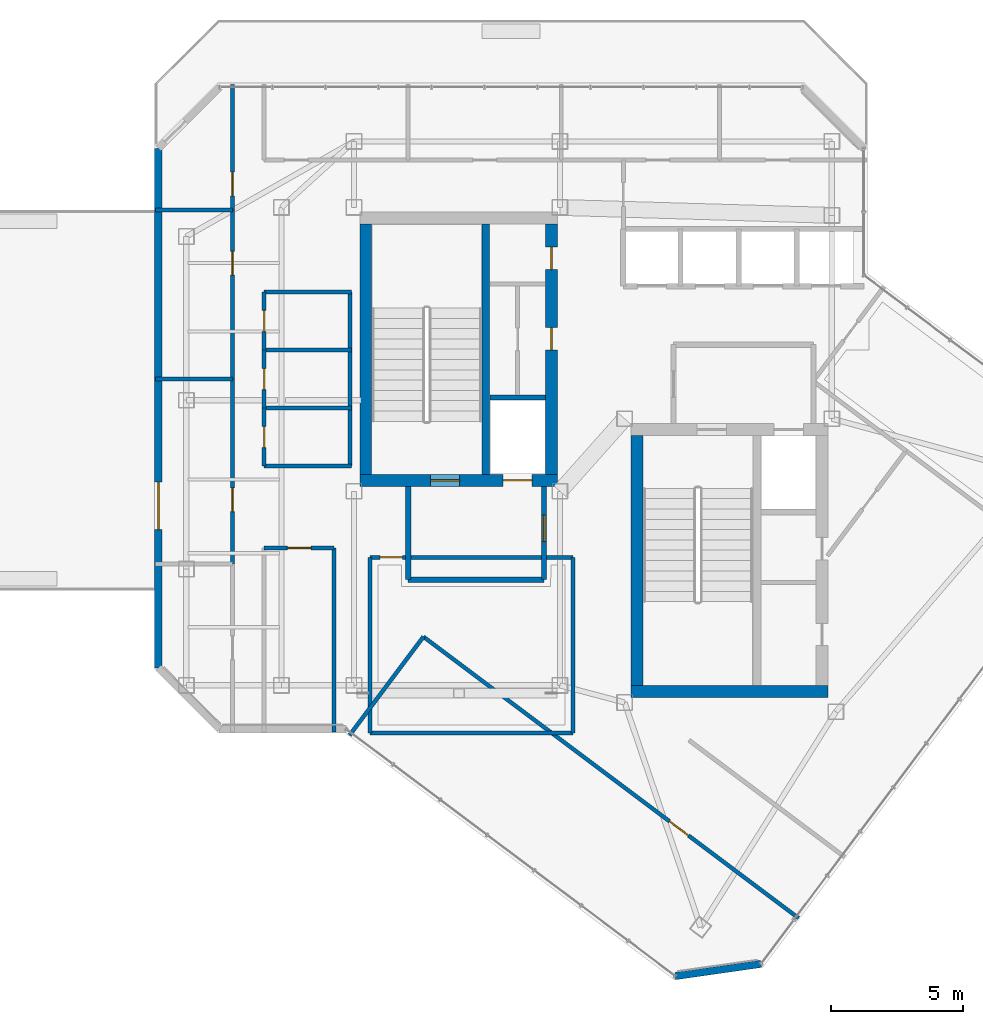
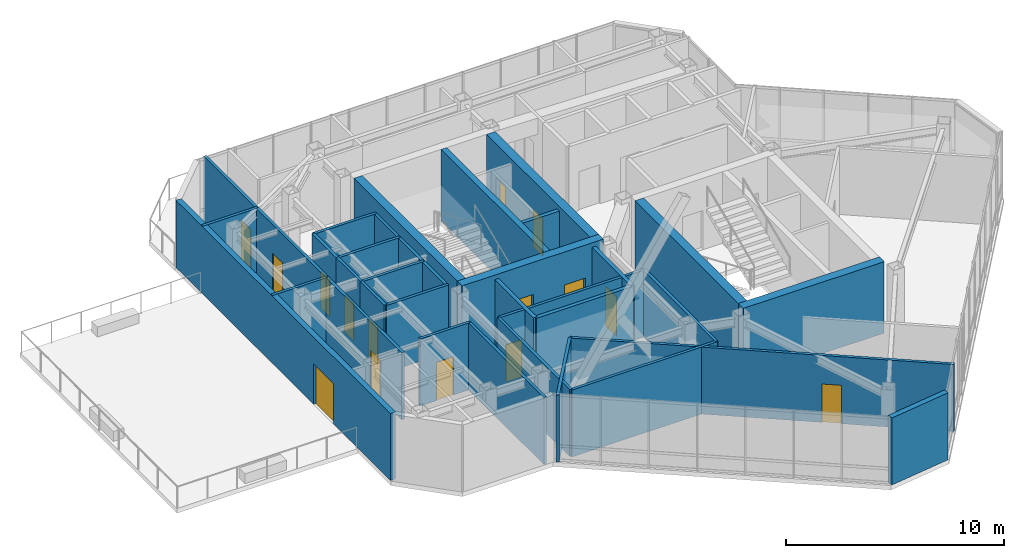
# One storey, part 16 of 21: 33 walls, 15 doors, 15 openings.
"""IFC4 building model written with IfcOpenShell, lengths in metres."""

from ifc_helpers import new_model, si_unit, direction, frame, frame_2d, origin, place, context, subcontext, project, spatial, rectangle, extrude, material, layer, layer_set, type_object, element, fill, save


model = new_model("IFC4")

# Units and contexts
model_context = context("Model", 3, precision=1e-05, world=origin(), true_north=direction((0.0, 1.0)))
body_context = subcontext(model_context, "Body", "Model", "MODEL_VIEW")
ifc_project = project(units=[si_unit("LENGTHUNIT", "METRE"), si_unit("AREAUNIT", "SQUARE_METRE"), si_unit("VOLUMEUNIT", "CUBIC_METRE"), si_unit("PLANEANGLEUNIT", "RADIAN"), si_unit("MASSUNIT", "GRAM", prefix="KILO")], contexts=[model_context])

# Site, building, storey
site_placement = place(None, origin())
site = spatial("IfcSite", under=ifc_project, at=site_placement, CompositionType="ELEMENT")
building_placement = place(site_placement, origin())
building = spatial("IfcBuilding", under=site, at=building_placement, Name="Hatsunagi Terrace Concourse", CompositionType="ELEMENT")
storey_placement = place(building_placement, frame((0.0, 0.0, 265.949951171875)))
storey = spatial("IfcBuildingStorey", under=building, at=storey_placement, Name="L70", CompositionType="ELEMENT", Elevation=265.949951171875)

# Wall, openings, doors
ifc_material_1 = material(Name="Concrete Fc42", Category="concrete")
ifc_layer_1 = layer(ifc_material_1, 0.449951171875)
ifc_layer_set_1 = layer_set([ifc_layer_1], Name="CoreShearWall_Fc42_450")
wall_type_1 = type_object("IfcWallType", Name="CoreShearWall_Fc42_450", PredefinedType="SHEAR", material=ifc_layer_set_1)
wall_1_placement = place(storey_placement, frame((25.77001953125, 32.965087890625, 0.0), z_axis=(0.0, 0.0, 1.0), x_axis=(1.0, 0.0, 0.0)))
wall_1 = element("IfcWall", 1, at=wall_1_placement, inside=storey, type_object=wall_type_1, Name="Core A Shear Wall S L70", PredefinedType="SHEAR", context=body_context, shape_type="SweptSolid", body=[
    extrude(rectangle(XDim=7.47998046875, YDim=0.449951171875, at=frame_2d((3.739990234375, 0.0))), origin(), (0.0, 0.0, 1.0), 4.0),
])
opening_1_placement = place(wall_1_placement, frame((2.679931640625, 0.0, 0.0)))
opening_1 = element("IfcOpeningElement", 2, at=opening_1_placement, cuts=wall_1, Name="Opening DR-110S", PredefinedType="OPENING", context=body_context, shape_type="SweptSolid", body=[
    extrude(rectangle(XDim=1.10009765625, YDim=2.199951171875, at=frame_2d((0.550048828125, 1.10009765625))), frame((0.0, 0.23486328125, 0.0), z_axis=(0.0, -1.0, 0.0), x_axis=(1.0, 0.0, 0.0)), (0.0, 0.0, 1.0), 0.469970703125),
])
opening_2_placement = place(wall_1_placement, frame((5.429931640625, 0.0, 0.0)))
opening_2 = element("IfcOpeningElement", 3, at=opening_2_placement, cuts=wall_1, Name="Opening LD-01", PredefinedType="OPENING", context=body_context, shape_type="SweptSolid", body=[
    extrude(rectangle(XDim=1.10009765625, YDim=2.14990234375, at=frame_2d((0.550048828125, 1.074951171875))), frame((0.0, 0.23486328125, 0.0), z_axis=(0.0, -1.0, 0.0), x_axis=(1.0, 0.0, 0.0)), (0.0, 0.0, 1.0), 0.469970703125),
])
ifc_material_2 = material(Name="Stainless steel", Category="steel")
door_type_1 = type_object("IfcDoorType", Name="LiftLandingDoor_LD01", OperationType="SLIDING_TO_LEFT", PredefinedType="USERDEFINED", material=ifc_material_2)
door_1_placement = place(opening_2_placement, origin())
door_1 = element("IfcDoor", 4, at=door_1_placement, inside=storey, type_object=door_type_1, Name="Lift landing door FF-01 L70", ObjectType="SLIDING_LANDING_DOOR", OperationType="SLIDING_TO_LEFT", OverallHeight=2.14990234375, OverallWidth=1.10009765625, PredefinedType="USERDEFINED", context=body_context, shape_type="SweptSolid", body=[
    extrude(rectangle(XDim=1.10009765625, YDim=2.14990234375, at=frame_2d((0.550048828125, 1.074951171875))), frame((0.0, 0.02490234375, 0.0), z_axis=(0.0, -1.0, 0.0), x_axis=(1.0, 0.0, 0.0)), (0.0, 0.0, 1.0), 0.050048828125),
])
fill(opening_2, door_1)
ifc_material_3 = material(Name="Painted steel", Category="steel")
door_type_2 = type_object("IfcDoorType", Name="StairFireDoor_EI60_1100", OperationType="NOTDEFINED", PredefinedType="DOOR", material=ifc_material_3)
door_2_placement = place(opening_1_placement, origin())
door_2 = element("IfcDoor", 5, at=door_2_placement, inside=storey, type_object=door_type_2, Name="Stair ST-A Exit Door L70", OperationType="SINGLE_SWING_LEFT", OverallHeight=2.199951171875, OverallWidth=1.10009765625, PredefinedType="DOOR", context=body_context, shape_type="SweptSolid", body=[
    extrude(rectangle(XDim=1.10009765625, YDim=2.199951171875, at=frame_2d((0.550048828125, 1.10009765625))), frame((0.0, 0.02490234375, 0.0), z_axis=(0.0, -1.0, 0.0), x_axis=(1.0, 0.0, 0.0)), (0.0, 0.0, 1.0), 0.050048828125),
])
fill(opening_1, door_2)

# Wall
wall_2_placement = place(storey_placement, frame((25.9951171875, 33.18994140625, 0.0), z_axis=(0.0, 0.0, 1.0), x_axis=(0.0, 1.0, 0.0)))
element("IfcWall", 6, at=wall_2_placement, inside=storey, type_object=wall_type_1, Name="Core A Shear Wall W L70", PredefinedType="SHEAR", context=body_context, shape_type="SweptSolid", body=[
    extrude(rectangle(XDim=9.47998046875, YDim=0.449951171875, at=frame_2d((4.739990234375, 0.0))), origin(), (0.0, 0.0, 1.0), 4.0),
])

# Wall, openings, doors
wall_3_placement = place(storey_placement, frame((33.02490234375, 33.18994140625, 0.0), z_axis=(0.0, 0.0, 1.0), x_axis=(0.0, 1.0, 0.0)))
wall_3 = element("IfcWall", 7, at=wall_3_placement, inside=storey, type_object=wall_type_1, Name="Core A Shear Wall E L70", PredefinedType="SHEAR", context=body_context, shape_type="SweptSolid", body=[
    extrude(rectangle(XDim=9.47998046875, YDim=0.449951171875, at=frame_2d((4.739990234375, 0.0))), origin(), (0.0, 0.0, 1.0), 4.0),
])
opening_3_placement = place(wall_3_placement, frame((4.7099609375, 0.0, 0.0)))
opening_3 = element("IfcOpeningElement", 8, at=opening_3_placement, cuts=wall_3, Name="Opening DR-085", PredefinedType="OPENING", context=body_context, shape_type="SweptSolid", body=[
    extrude(rectangle(XDim=0.85009765625, YDim=2.080078125, at=frame_2d((0.425048828125, 1.0400390625))), frame((0.0, 0.23486328125, 0.0), z_axis=(0.0, -1.0, 0.0), x_axis=(1.0, 0.0, 0.0)), (0.0, 0.0, 1.0), 0.469970703125),
])
opening_4_placement = place(wall_3_placement, frame((7.760009765625, 0.0, 0.0)))
opening_4 = element("IfcOpeningElement", 9, at=opening_4_placement, cuts=wall_3, Name="Opening DR-085", PredefinedType="OPENING", context=body_context, shape_type="SweptSolid", body=[
    extrude(rectangle(XDim=0.85009765625, YDim=2.080078125, at=frame_2d((0.425048828125, 1.0400390625))), frame((0.0, 0.23486328125, 0.0), z_axis=(0.0, -1.0, 0.0), x_axis=(1.0, 0.0, 0.0)), (0.0, 0.0, 1.0), 0.469970703125),
])
ifc_material_4 = material(Name="Painted steel", Category="steel")
door_type_3 = type_object("IfcDoorType", Name="RiserAccessDoor_EI60_850", OperationType="NOTDEFINED", PredefinedType="DOOR", material=ifc_material_4)
door_3_placement = place(opening_3_placement, origin())
door_3 = element("IfcDoor", 10, at=door_3_placement, inside=storey, type_object=door_type_3, Name="Core A Riser Door L70-1", OperationType="SINGLE_SWING_LEFT", OverallHeight=2.080078125, OverallWidth=0.85009765625, PredefinedType="DOOR", context=body_context, shape_type="SweptSolid", body=[
    extrude(rectangle(XDim=0.85009765625, YDim=2.080078125, at=frame_2d((0.425048828125, 1.0400390625))), frame((0.0, 0.02490234375, 0.0), z_axis=(0.0, -1.0, 0.0), x_axis=(1.0, 0.0, 0.0)), (0.0, 0.0, 1.0), 0.050048828125),
])
fill(opening_3, door_3)
door_4_placement = place(opening_4_placement, origin())
door_4 = element("IfcDoor", 11, at=door_4_placement, inside=storey, type_object=door_type_3, Name="Core A Riser Door L70-2", OperationType="SINGLE_SWING_LEFT", OverallHeight=2.080078125, OverallWidth=0.85009765625, PredefinedType="DOOR", context=body_context, shape_type="SweptSolid", body=[
    extrude(rectangle(XDim=0.85009765625, YDim=2.080078125, at=frame_2d((0.425048828125, 1.0400390625))), frame((0.0, 0.02490234375, 0.0), z_axis=(0.0, -1.0, 0.0), x_axis=(1.0, 0.0, 0.0)), (0.0, 0.0, 1.0), 0.050048828125),
])
fill(opening_4, door_4)

# Walls
wall_4_placement = place(storey_placement, frame((36.0400390625, 24.965087890625, 0.0), z_axis=(0.0, 0.0, 1.0), x_axis=(1.0, 0.0, 0.0)))
element("IfcWall", 12, at=wall_4_placement, inside=storey, type_object=wall_type_1, Name="Core B Shear Wall S L70", PredefinedType="SHEAR", context=body_context, shape_type="SweptSolid", body=[
    extrude(rectangle(XDim=7.4599609375, YDim=0.449951171875, at=frame_2d((3.72998046875, 0.0))), origin(), (0.0, 0.0, 1.0), 4.0),
])
wall_5_placement = place(storey_placement, frame((36.264892578125, 25.18994140625, 0.0), z_axis=(0.0, 0.0, 1.0), x_axis=(0.0, 1.0, 0.0)))
element("IfcWall", 13, at=wall_5_placement, inside=storey, type_object=wall_type_1, Name="Core B Shear Wall W L70", PredefinedType="SHEAR", context=body_context, shape_type="SweptSolid", body=[
    extrude(rectangle(XDim=9.47998046875, YDim=0.449951171875, at=frame_2d((4.739990234375, 0.0))), origin(), (0.0, 0.0, 1.0), 4.0),
])
ifc_material_5 = material(Name="Concrete Fc48", Category="concrete")
ifc_layer_2 = layer(ifc_material_5, 0.300048828125)
ifc_layer_set_2 = layer_set([ifc_layer_2], Name="CoreStairDivider_Fc48_300")
wall_type_2 = type_object("IfcWallType", Name="CoreStairDivider_Fc48_300", PredefinedType="SHEAR", material=ifc_layer_set_2)
wall_6_placement = place(storey_placement, frame((30.5400390625, 33.18994140625, 0.0), z_axis=(0.0, 0.0, 1.0), x_axis=(0.0, 1.0, 0.0)))
element("IfcWall", 14, at=wall_6_placement, inside=storey, type_object=wall_type_2, Name="Core A Shear Wall D L70", PredefinedType="SHEAR", context=body_context, shape_type="SweptSolid", body=[
    extrude(rectangle(XDim=9.47998046875, YDim=0.300048828125, at=frame_2d((4.739990234375, 0.0))), origin(), (0.0, 0.0, 1.0), 4.0),
])
ifc_material_6 = material(Name="Acoustic mineral board", Category="gypsum")
ifc_layer_3 = layer(ifc_material_6, 0.14990234375)
ifc_layer_set_3 = layer_set([ifc_layer_3], Name="PartitionWall_EI60_150")
wall_type_3 = type_object("IfcWallType", Name="PartitionWall_EI60_150", PredefinedType="PARTITIONING", material=ifc_layer_set_3)
for number, where, z_axis, x_axis, name in (
    (15, (22.14990234375, 33.5, 0.0), (0.0, 0.0, 1.0), (1.0, 0.0, 0.0), "Interior Partition IW-L70-018"),
    (16, (22.14990234375, 40.10009765625, 0.0), (0.0, 0.0, 1.0), (1.0, 0.0, 0.0), "Interior Partition IW-L70-019"),
):
    element("IfcWall", number, at=place(storey_placement, frame(where, z_axis=z_axis, x_axis=x_axis)), inside=storey, type_object=wall_type_3, Name=name, PredefinedType="PARTITIONING", context=body_context, shape_type="SweptSolid", body=[
        extrude(rectangle(XDim=3.300048828125, YDim=0.14990234375, at=frame_2d((1.64990234375, 0.0))), origin(), (0.0, 0.0, 1.0), 3.75),
    ])
wall_7_placement = place(storey_placement, frame((25.39990234375, 33.5, 0.0), z_axis=(0.0, 0.0, 1.0), x_axis=(0.0, 1.0, 0.0)))
element("IfcWall", 17, at=wall_7_placement, inside=storey, type_object=wall_type_3, Name="Interior Partition IW-L70-020", PredefinedType="PARTITIONING", context=body_context, shape_type="SweptSolid", body=[
    extrude(rectangle(XDim=6.60009765625, YDim=0.14990234375, at=frame_2d((3.300048828125, 0.0))), origin(), (0.0, 0.0, 1.0), 3.75),
])
for number, where, z_axis, x_axis, name in (
    (18, (22.14990234375, 35.699951171875, 0.0), (0.0, 0.0, 1.0), (1.0, 0.0, 0.0), "Interior Partition IW-L70-021"),
    (19, (22.14990234375, 37.89990234375, 0.0), (0.0, 0.0, 1.0), (1.0, 0.0, 0.0), "Interior Partition IW-L70-022"),
):
    element("IfcWall", number, at=place(storey_placement, frame(where, z_axis=z_axis, x_axis=x_axis)), inside=storey, type_object=wall_type_3, Name=name, PredefinedType="PARTITIONING", context=body_context, shape_type="SweptSolid", body=[
        extrude(rectangle(XDim=3.300048828125, YDim=0.14990234375, at=frame_2d((1.64990234375, 0.0))), origin(), (0.0, 0.0, 1.0), 3.75),
    ])

# Wall, opening, door
wall_8_placement = place(storey_placement, frame((22.14990234375, 33.5, 0.0), z_axis=(0.0, 0.0, 1.0), x_axis=(0.0, 1.0, 0.0)))
wall_8 = element("IfcWall", 20, at=wall_8_placement, inside=storey, type_object=wall_type_3, Name="Interior Partition IW-L70-023", PredefinedType="PARTITIONING", context=body_context, shape_type="SweptSolid", body=[
    extrude(rectangle(XDim=2.199951171875, YDim=0.14990234375, at=frame_2d((1.10009765625, 0.0))), origin(), (0.0, 0.0, 1.0), 3.75),
])
opening_5_placement = place(wall_8_placement, frame((0.699951171875, 0.0, 0.0)))
opening_5 = element("IfcOpeningElement", 21, at=opening_5_placement, cuts=wall_8, Name="Opening DR-080", PredefinedType="OPENING", context=body_context, shape_type="SweptSolid", body=[
    extrude(rectangle(XDim=0.800048828125, YDim=2.06005859375, at=frame_2d((0.39990234375, 1.030029296875))), frame((0.0, 0.0849609375, 0.0), z_axis=(0.0, -1.0, 0.0), x_axis=(1.0, 0.0, 0.0)), (0.0, 0.0, 1.0), 0.169921875),
])
ifc_material_7 = material(Name="Hardwood timber", Category="wood")
door_type_4 = type_object("IfcDoorType", Name="BathroomDoor_800", OperationType="NOTDEFINED", PredefinedType="DOOR", material=ifc_material_7)
door_5_placement = place(opening_5_placement, origin())
door_5 = element("IfcDoor", 22, at=door_5_placement, inside=storey, type_object=door_type_4, Name="Accessible WC Door L70", OperationType="SINGLE_SWING_RIGHT", OverallHeight=2.06005859375, OverallWidth=0.800048828125, PredefinedType="DOOR", context=body_context, shape_type="SweptSolid", body=[
    extrude(rectangle(XDim=0.800048828125, YDim=2.06005859375, at=frame_2d((0.39990234375, 1.030029296875))), frame((0.0, 0.02490234375, 0.0), z_axis=(0.0, -1.0, 0.0), x_axis=(1.0, 0.0, 0.0)), (0.0, 0.0, 1.0), 0.050048828125),
])
fill(opening_5, door_5)

wall_9_placement = place(storey_placement, frame((22.14990234375, 35.699951171875, 0.0), z_axis=(0.0, 0.0, 1.0), x_axis=(0.0, 1.0, 0.0)))
wall_9 = element("IfcWall", 23, at=wall_9_placement, inside=storey, type_object=wall_type_3, Name="Interior Partition IW-L70-024", PredefinedType="PARTITIONING", context=body_context, shape_type="SweptSolid", body=[
    extrude(rectangle(XDim=2.199951171875, YDim=0.14990234375, at=frame_2d((1.10009765625, 0.0))), origin(), (0.0, 0.0, 1.0), 3.75),
])
opening_6_placement = place(wall_9_placement, frame((0.699951171875, 0.0, 0.0)))
opening_6 = element("IfcOpeningElement", 24, at=opening_6_placement, cuts=wall_9, Name="Opening DR-080", PredefinedType="OPENING", context=body_context, shape_type="SweptSolid", body=[
    extrude(rectangle(XDim=0.800048828125, YDim=2.06005859375, at=frame_2d((0.39990234375, 1.030029296875))), frame((0.0, 0.0849609375, 0.0), z_axis=(0.0, -1.0, 0.0), x_axis=(1.0, 0.0, 0.0)), (0.0, 0.0, 1.0), 0.169921875),
])
door_6_placement = place(opening_6_placement, origin())
door_6 = element("IfcDoor", 25, at=door_6_placement, inside=storey, type_object=door_type_4, Name="Female Restroom Door L70", OperationType="SINGLE_SWING_RIGHT", OverallHeight=2.06005859375, OverallWidth=0.800048828125, PredefinedType="DOOR", context=body_context, shape_type="SweptSolid", body=[
    extrude(rectangle(XDim=0.800048828125, YDim=2.06005859375, at=frame_2d((0.39990234375, 1.030029296875))), frame((0.0, 0.02490234375, 0.0), z_axis=(0.0, -1.0, 0.0), x_axis=(1.0, 0.0, 0.0)), (0.0, 0.0, 1.0), 0.050048828125),
])
fill(opening_6, door_6)

wall_10_placement = place(storey_placement, frame((22.14990234375, 37.89990234375, 0.0), z_axis=(0.0, 0.0, 1.0), x_axis=(0.0, 1.0, 0.0)))
wall_10 = element("IfcWall", 26, at=wall_10_placement, inside=storey, type_object=wall_type_3, Name="Interior Partition IW-L70-025", PredefinedType="PARTITIONING", context=body_context, shape_type="SweptSolid", body=[
    extrude(rectangle(XDim=2.2001953125, YDim=0.14990234375, at=frame_2d((1.10009765625, 0.0))), origin(), (0.0, 0.0, 1.0), 3.75),
])
opening_7_placement = place(wall_10_placement, frame((0.699951171875, 0.0, 0.0)))
opening_7 = element("IfcOpeningElement", 27, at=opening_7_placement, cuts=wall_10, Name="Opening DR-080", PredefinedType="OPENING", context=body_context, shape_type="SweptSolid", body=[
    extrude(rectangle(XDim=0.800048828125, YDim=2.06005859375, at=frame_2d((0.39990234375, 1.030029296875))), frame((0.0, 0.0849609375, 0.0), z_axis=(0.0, -1.0, 0.0), x_axis=(1.0, 0.0, 0.0)), (0.0, 0.0, 1.0), 0.169921875),
])
door_7_placement = place(opening_7_placement, origin())
door_7 = element("IfcDoor", 28, at=door_7_placement, inside=storey, type_object=door_type_4, Name="Male Restroom Door L70", OperationType="SINGLE_SWING_RIGHT", OverallHeight=2.06005859375, OverallWidth=0.800048828125, PredefinedType="DOOR", context=body_context, shape_type="SweptSolid", body=[
    extrude(rectangle(XDim=0.800048828125, YDim=2.06005859375, at=frame_2d((0.39990234375, 1.030029296875))), frame((0.0, 0.02490234375, 0.0), z_axis=(0.0, -1.0, 0.0), x_axis=(1.0, 0.0, 0.0)), (0.0, 0.0, 1.0), 0.050048828125),
])
fill(opening_7, door_7)

# Wall
wall_11_placement = place(storey_placement, frame((26.14990234375, 23.39990234375, 0.0), z_axis=(0.0, 0.0, 1.0), x_axis=(1.0, 0.0, 0.0)))
element("IfcWall", 29, at=wall_11_placement, inside=storey, type_object=wall_type_3, Name="Interior Partition IW-L70-026", PredefinedType="PARTITIONING", context=body_context, shape_type="SweptSolid", body=[
    extrude(rectangle(XDim=7.7001953125, YDim=0.14990234375, at=frame_2d((3.85009765625, 0.0))), origin(), (0.0, 0.0, 1.0), 3.75),
])

# Wall, opening, door
wall_12_placement = place(storey_placement, frame((26.14990234375, 30.050048828125, 0.0), z_axis=(0.0, 0.0, 1.0), x_axis=(1.0, 0.0, 0.0)))
wall_12 = element("IfcWall", 30, at=wall_12_placement, inside=storey, type_object=wall_type_3, Name="Interior Partition IW-L70-027", PredefinedType="PARTITIONING", context=body_context, shape_type="SweptSolid", body=[
    extrude(rectangle(XDim=7.7001953125, YDim=0.14990234375, at=frame_2d((3.85009765625, 0.0))), origin(), (0.0, 0.0, 1.0), 3.75),
])
opening_8_placement = place(wall_12_placement, frame((0.3798828125, 0.0, 0.0)))
opening_8 = element("IfcOpeningElement", 31, at=opening_8_placement, cuts=wall_12, Name="Opening DR-085", PredefinedType="OPENING", context=body_context, shape_type="SweptSolid", body=[
    extrude(rectangle(XDim=0.85009765625, YDim=2.080078125, at=frame_2d((0.425048828125, 1.0400390625))), frame((0.0, 0.0849609375, 0.0), z_axis=(0.0, -1.0, 0.0), x_axis=(1.0, 0.0, 0.0)), (0.0, 0.0, 1.0), 0.169921875),
])
door_8_placement = place(opening_8_placement, origin())
door_8 = element("IfcDoor", 32, at=door_8_placement, inside=storey, type_object=door_type_3, Name="Boardroom L70-RECL1 Door", OperationType="SINGLE_SWING_RIGHT", OverallHeight=2.080078125, OverallWidth=0.85009765625, PredefinedType="DOOR", context=body_context, shape_type="SweptSolid", body=[
    extrude(rectangle(XDim=0.85009765625, YDim=2.080078125, at=frame_2d((0.425048828125, 1.0400390625))), frame((0.0, 0.02490234375, 0.0), z_axis=(0.0, -1.0, 0.0), x_axis=(1.0, 0.0, 0.0)), (0.0, 0.0, 1.0), 0.050048828125),
])
fill(opening_8, door_8)

# Walls
for number, where, z_axis, x_axis, name in (
    (33, (26.14990234375, 23.39990234375, 0.0), (0.0, 0.0, 1.0), (0.0, 1.0, 0.0), "Interior Partition IW-L70-028"),
    (34, (33.85009765625, 23.39990234375, 0.0), (0.0, 0.0, 1.0), (0.0, 1.0, 0.0), "Interior Partition IW-L70-029"),
):
    element("IfcWall", number, at=place(storey_placement, frame(where, z_axis=z_axis, x_axis=x_axis)), inside=storey, type_object=wall_type_3, Name=name, PredefinedType="PARTITIONING", context=body_context, shape_type="SweptSolid", body=[
        extrude(rectangle(XDim=6.650146484375, YDim=0.14990234375, at=frame_2d((3.3251953125, 0.0))), origin(), (0.0, 0.0, 1.0), 3.75),
    ])

# Wall, opening, door
wall_13_placement = place(storey_placement, frame((28.179931640625, 27.0400390625, 0.0), z_axis=(0.0, 0.0, 1.0), x_axis=(0.8, -0.6, 0.0)))
wall_13 = element("IfcWall", 35, at=wall_13_placement, inside=storey, type_object=wall_type_3, Name="Interior Partition IW-L70-039", PredefinedType="PARTITIONING", context=body_context, shape_type="SweptSolid", body=[
    extrude(rectangle(XDim=17.760009765625, YDim=0.14990234375, at=frame_2d((8.8798828125, 0.0))), origin(), (0.0, 0.0, 1.0), 3.75),
])
opening_9_placement = place(wall_13_placement, frame((11.64990234375, 0.0, 0.0)))
opening_9 = element("IfcOpeningElement", 36, at=opening_9_placement, cuts=wall_13, Name="Opening DR-090", PredefinedType="OPENING", context=body_context, shape_type="SweptSolid", body=[
    extrude(rectangle(XDim=0.89990234375, YDim=2.14990234375, at=frame_2d((0.449951171875, 1.074951171875))), frame((0.0, 0.0849609375, 0.0), z_axis=(0.0, -1.0, 0.0), x_axis=(1.0, 0.0, 0.0)), (0.0, 0.0, 1.0), 0.169921875),
])
ifc_material_8 = material(Name="Hardwood timber", Category="wood")
door_type_5 = type_object("IfcDoorType", Name="CrownPavilionDoor_EI30_900", OperationType="NOTDEFINED", PredefinedType="DOOR", material=ifc_material_8)
door_9_placement = place(opening_9_placement, origin())
door_9 = element("IfcDoor", 37, at=door_9_placement, inside=storey, type_object=door_type_5, Name="Private Dining Suite L70-CRSWS Door", OperationType="SINGLE_SWING_LEFT", OverallHeight=2.14990234375, OverallWidth=0.89990234375, PredefinedType="DOOR", context=body_context, shape_type="SweptSolid", body=[
    extrude(rectangle(XDim=0.89990234375, YDim=2.14990234375, at=frame_2d((0.449951171875, 1.074951171875))), frame((0.0, 0.02490234375, 0.0), z_axis=(0.0, -1.0, 0.0), x_axis=(1.0, 0.0, 0.0)), (0.0, 0.0, 1.0), 0.050048828125),
])
fill(opening_9, door_9)

# Walls
wall_14_placement = place(storey_placement, frame((25.384033203125, 23.31201171875, 0.0), z_axis=(0.0, 0.0, 1.0), x_axis=(0.599983234706, 0.800012573696, 0.0)))
element("IfcWall", 38, at=wall_14_placement, inside=storey, type_object=wall_type_3, Name="Interior Partition IW-L70-040", PredefinedType="PARTITIONING", context=body_context, shape_type="SweptSolid", body=[
    extrude(rectangle(XDim=4.659912109375, YDim=0.14990234375, at=frame_2d((2.330078125, 0.0))), origin(), (0.0, 0.0, 1.0), 3.75),
])
wall_15_placement = place(storey_placement, frame((18.0400390625, 36.800048828125, 0.0), z_axis=(0.0, 0.0, 1.0), x_axis=(1.0, 0.0, 0.0)))
element("IfcWall", 39, at=wall_15_placement, inside=storey, type_object=wall_type_3, Name="Interior Partition IW-L70-043", PredefinedType="PARTITIONING", context=body_context, shape_type="SweptSolid", body=[
    extrude(rectangle(XDim=2.909912109375, YDim=0.14990234375, at=frame_2d((1.455078125, 0.0))), origin(), (0.0, 0.0, 1.0), 3.75),
])

# Wall, opening, door
wall_16_placement = place(storey_placement, frame((20.949951171875, 29.800048828125, 0.0), z_axis=(0.0, 0.0, 1.0), x_axis=(0.0, 1.0, 0.0)))
wall_16 = element("IfcWall", 40, at=wall_16_placement, inside=storey, type_object=wall_type_3, Name="Interior Partition IW-L70-044", PredefinedType="PARTITIONING", context=body_context, shape_type="SweptSolid", body=[
    extrude(rectangle(XDim=7.0, YDim=0.14990234375, at=frame_2d((3.5, 0.0))), origin(), (0.0, 0.0, 1.0), 3.75),
])
opening_10_placement = place(wall_16_placement, frame((1.98193359375, 0.0, 0.0)))
opening_10 = element("IfcOpeningElement", 41, at=opening_10_placement, cuts=wall_16, Name="Opening DR-090", PredefinedType="OPENING", context=body_context, shape_type="SweptSolid", body=[
    extrude(rectangle(XDim=0.89990234375, YDim=2.14990234375, at=frame_2d((0.449951171875, 1.074951171875))), frame((0.0, 0.0849609375, 0.0), z_axis=(0.0, -1.0, 0.0), x_axis=(1.0, 0.0, 0.0)), (0.0, 0.0, 1.0), 0.169921875),
])
door_10_placement = place(opening_10_placement, origin())
door_10 = element("IfcDoor", 42, at=door_10_placement, inside=storey, type_object=door_type_5, Name="Meeting Room L70-CRW2 Door", OperationType="SINGLE_SWING_RIGHT", OverallHeight=2.14990234375, OverallWidth=0.89990234375, PredefinedType="DOOR", context=body_context, shape_type="SweptSolid", body=[
    extrude(rectangle(XDim=0.89990234375, YDim=2.14990234375, at=frame_2d((0.449951171875, 1.074951171875))), frame((0.0, 0.02490234375, 0.0), z_axis=(0.0, -1.0, 0.0), x_axis=(1.0, 0.0, 0.0)), (0.0, 0.0, 1.0), 0.050048828125),
])
fill(opening_10, door_10)

# Wall
wall_17_placement = place(storey_placement, frame((18.0400390625, 43.199951171875, 0.0), z_axis=(0.0, 0.0, 1.0), x_axis=(1.0, 0.0, 0.0)))
element("IfcWall", 43, at=wall_17_placement, inside=storey, type_object=wall_type_3, Name="Interior Partition IW-L70-045", PredefinedType="PARTITIONING", context=body_context, shape_type="SweptSolid", body=[
    extrude(rectangle(XDim=2.909912109375, YDim=0.14990234375, at=frame_2d((1.455078125, 0.0))), origin(), (0.0, 0.0, 1.0), 3.75),
])

# Wall, opening, door
wall_18_placement = place(storey_placement, frame((20.949951171875, 36.800048828125, 0.0), z_axis=(0.0, 0.0, 1.0), x_axis=(0.0, 1.0, 0.0)))
wall_18 = element("IfcWall", 44, at=wall_18_placement, inside=storey, type_object=wall_type_3, Name="Interior Partition IW-L70-046", PredefinedType="PARTITIONING", context=body_context, shape_type="SweptSolid", body=[
    extrude(rectangle(XDim=6.39990234375, YDim=0.14990234375, at=frame_2d((3.199951171875, 0.0))), origin(), (0.0, 0.0, 1.0), 3.75),
])
opening_11_placement = place(wall_18_placement, frame((3.93505859375, 0.0, 0.0)))
opening_11 = element("IfcOpeningElement", 45, at=opening_11_placement, cuts=wall_18, Name="Opening DR-090", PredefinedType="OPENING", context=body_context, shape_type="SweptSolid", body=[
    extrude(rectangle(XDim=0.89990234375, YDim=2.14990234375, at=frame_2d((0.449951171875, 1.074951171875))), frame((0.0, 0.0849609375, 0.0), z_axis=(0.0, -1.0, 0.0), x_axis=(1.0, 0.0, 0.0)), (0.0, 0.0, 1.0), 0.169921875),
])
door_11_placement = place(opening_11_placement, origin())
door_11 = element("IfcDoor", 46, at=door_11_placement, inside=storey, type_object=door_type_5, Name="Boardroom L70-CRW3 Door", OperationType="SINGLE_SWING_RIGHT", OverallHeight=2.14990234375, OverallWidth=0.89990234375, PredefinedType="DOOR", context=body_context, shape_type="SweptSolid", body=[
    extrude(rectangle(XDim=0.89990234375, YDim=2.14990234375, at=frame_2d((0.449951171875, 1.074951171875))), frame((0.0, 0.02490234375, 0.0), z_axis=(0.0, -1.0, 0.0), x_axis=(1.0, 0.0, 0.0)), (0.0, 0.0, 1.0), 0.050048828125),
])
fill(opening_11, door_11)

wall_19_placement = place(storey_placement, frame((20.949951171875, 43.199951171875, 0.0), z_axis=(0.0, 0.0, 1.0), x_axis=(0.0, 1.0, 0.0)))
wall_19 = element("IfcWall", 47, at=wall_19_placement, inside=storey, type_object=wall_type_3, Name="Interior Partition IW-L70-047", PredefinedType="PARTITIONING", context=body_context, shape_type="SweptSolid", body=[
    extrude(rectangle(XDim=4.760009765625, YDim=0.14990234375, at=frame_2d((2.3798828125, 0.0))), origin(), (0.0, 0.0, 1.0), 3.75),
])
opening_12_placement = place(wall_19_placement, frame((0.534912109375, 0.0, 0.0)))
opening_12 = element("IfcOpeningElement", 48, at=opening_12_placement, cuts=wall_19, Name="Opening DR-090", PredefinedType="OPENING", context=body_context, shape_type="SweptSolid", body=[
    extrude(rectangle(XDim=0.89990234375, YDim=2.14990234375, at=frame_2d((0.449951171875, 1.074951171875))), frame((0.0, 0.0849609375, 0.0), z_axis=(0.0, -1.0, 0.0), x_axis=(1.0, 0.0, 0.0)), (0.0, 0.0, 1.0), 0.169921875),
])
door_12_placement = place(opening_12_placement, origin())
door_12 = element("IfcDoor", 49, at=door_12_placement, inside=storey, type_object=door_type_5, Name="Focus Room L70-CRW4 Door", OperationType="SINGLE_SWING_LEFT", OverallHeight=2.14990234375, OverallWidth=0.89990234375, PredefinedType="DOOR", context=body_context, shape_type="SweptSolid", body=[
    extrude(rectangle(XDim=0.89990234375, YDim=2.14990234375, at=frame_2d((0.449951171875, 1.074951171875))), frame((0.0, 0.02490234375, 0.0), z_axis=(0.0, -1.0, 0.0), x_axis=(1.0, 0.0, 0.0)), (0.0, 0.0, 1.0), 0.050048828125),
])
fill(opening_12, door_12)

wall_20_placement = place(storey_placement, frame((22.14990234375, 30.39990234375, 0.0), z_axis=(0.0, 0.0, 1.0), x_axis=(1.0, 0.0, 0.0)))
wall_20 = element("IfcWall", 50, at=wall_20_placement, inside=storey, type_object=wall_type_3, Name="Interior Partition IW-L70-048", PredefinedType="PARTITIONING", context=body_context, shape_type="SweptSolid", body=[
    extrude(rectangle(XDim=2.650146484375, YDim=0.14990234375, at=frame_2d((1.3251953125, 0.0))), origin(), (0.0, 0.0, 1.0), 3.75),
])
opening_13_placement = place(wall_20_placement, frame((0.875, 0.0, 0.0)))
opening_13 = element("IfcOpeningElement", 51, at=opening_13_placement, cuts=wall_20, Name="Opening DR-090", PredefinedType="OPENING", context=body_context, shape_type="SweptSolid", body=[
    extrude(rectangle(XDim=0.89990234375, YDim=2.14990234375, at=frame_2d((0.449951171875, 1.074951171875))), frame((0.0, 0.0849609375, 0.0), z_axis=(0.0, -1.0, 0.0), x_axis=(1.0, 0.0, 0.0)), (0.0, 0.0, 1.0), 0.169921875),
])
door_13_placement = place(opening_13_placement, origin())
door_13 = element("IfcDoor", 52, at=door_13_placement, inside=storey, type_object=door_type_5, Name="Private Salon L70-CRSW1 Door", OperationType="SINGLE_SWING_RIGHT", OverallHeight=2.14990234375, OverallWidth=0.89990234375, PredefinedType="DOOR", context=body_context, shape_type="SweptSolid", body=[
    extrude(rectangle(XDim=0.89990234375, YDim=2.14990234375, at=frame_2d((0.449951171875, 1.074951171875))), frame((0.0, 0.02490234375, 0.0), z_axis=(0.0, -1.0, 0.0), x_axis=(1.0, 0.0, 0.0)), (0.0, 0.0, 1.0), 0.050048828125),
])
fill(opening_13, door_13)

# Walls
wall_21_placement = place(storey_placement, frame((24.800048828125, 23.43994140625, 0.0), z_axis=(0.0, 0.0, 1.0), x_axis=(0.0, 1.0, 0.0)))
element("IfcWall", 53, at=wall_21_placement, inside=storey, type_object=wall_type_3, Name="Interior Partition IW-L70-050", PredefinedType="PARTITIONING", context=body_context, shape_type="SweptSolid", body=[
    extrude(rectangle(XDim=6.9599609375, YDim=0.14990234375, at=frame_2d((3.47998046875, 0.0))), origin(), (0.0, 0.0, 1.0), 3.75),
])
ifc_material_9 = material(Name="Acoustic mineral board", Category="gypsum")
ifc_layer_4 = layer(ifc_material_9, 0.199951171875)
ifc_layer_set_4 = layer_set([ifc_layer_4], Name="ShaftWall_EI120_200")
wall_type_4 = type_object("IfcWallType", Name="ShaftWall_EI120_200", PredefinedType="STANDARD", material=ifc_layer_set_4)
wall_22_placement = place(storey_placement, frame((30.699951171875, 36.10009765625, 0.0), z_axis=(0.0, 0.0, 1.0), x_axis=(1.0, 0.0, 0.0)))
element("IfcWall", 54, at=wall_22_placement, inside=storey, type_object=wall_type_4, Name="Interior Partition IW-L70-001", PredefinedType="STANDARD", context=body_context, shape_type="SweptSolid", body=[
    extrude(rectangle(XDim=2.10009765625, YDim=0.199951171875, at=frame_2d((1.050048828125, 0.0))), origin(), (0.0, 0.0, 1.0), 3.75),
])
wall_23_placement = place(storey_placement, frame((27.60009765625, 29.199951171875, 0.0), z_axis=(0.0, 0.0, 1.0), x_axis=(1.0, 0.0, 0.0)))
element("IfcWall", 55, at=wall_23_placement, inside=storey, type_object=wall_type_4, Name="Interior Partition IW-L70-006", PredefinedType="STANDARD", context=body_context, shape_type="SweptSolid", body=[
    extrude(rectangle(XDim=5.14990234375, YDim=0.199951171875, at=frame_2d((2.574951171875, 0.0))), origin(), (0.0, 0.0, 1.0), 3.75),
])
wall_24_placement = place(storey_placement, frame((27.60009765625, 29.199951171875, 0.0), z_axis=(0.0, 0.0, 1.0), x_axis=(0.0, 1.0, 0.0)))
element("IfcWall", 56, at=wall_24_placement, inside=storey, type_object=wall_type_4, Name="Interior Partition IW-L70-007", PredefinedType="STANDARD", context=body_context, shape_type="SweptSolid", body=[
    extrude(rectangle(XDim=3.5400390625, YDim=0.199951171875, at=frame_2d((1.77001953125, 0.0))), origin(), (0.0, 0.0, 1.0), 3.75),
])

# Wall, opening, door
wall_25_placement = place(storey_placement, frame((32.75, 29.199951171875, 0.0), z_axis=(0.0, 0.0, 1.0), x_axis=(0.0, 1.0, 0.0)))
wall_25 = element("IfcWall", 57, at=wall_25_placement, inside=storey, type_object=wall_type_4, Name="Interior Partition IW-L70-008", PredefinedType="STANDARD", context=body_context, shape_type="SweptSolid", body=[
    extrude(rectangle(XDim=3.5400390625, YDim=0.199951171875, at=frame_2d((1.77001953125, 0.0))), origin(), (0.0, 0.0, 1.0), 3.75),
])
opening_14_placement = place(wall_25_placement, frame((1.449951171875, 0.0, 0.0)))
opening_14 = element("IfcOpeningElement", 58, at=opening_14_placement, cuts=wall_25, Name="Opening DR-100F", PredefinedType="OPENING", context=body_context, shape_type="SweptSolid", body=[
    extrude(rectangle(XDim=1.0, YDim=2.199951171875, at=frame_2d((0.5, 1.10009765625))), frame((0.0, 0.10986328125, 0.0), z_axis=(0.0, -1.0, 0.0), x_axis=(1.0, 0.0, 0.0)), (0.0, 0.0, 1.0), 0.219970703125),
])
ifc_material_10 = material(Name="Painted steel", Category="steel")
door_type_6 = type_object("IfcDoorType", Name="FireDoor_EI60_1000", OperationType="NOTDEFINED", PredefinedType="DOOR", material=ifc_material_10)
door_14_placement = place(opening_14_placement, origin())
door_14 = element("IfcDoor", 59, at=door_14_placement, inside=storey, type_object=door_type_6, Name="Firefighting Lobby A Door L70", OperationType="SINGLE_SWING_RIGHT", OverallHeight=2.199951171875, OverallWidth=1.0, PredefinedType="DOOR", context=body_context, shape_type="SweptSolid", body=[
    extrude(rectangle(XDim=1.0, YDim=2.199951171875, at=frame_2d((0.5, 1.10009765625))), frame((0.0, 0.02490234375, 0.0), z_axis=(0.0, -1.0, 0.0), x_axis=(1.0, 0.0, 0.0)), (0.0, 0.0, 1.0), 0.050048828125),
])
fill(opening_14, door_14)

# Wall
ifc_material_11 = material(Name="Autoclaved Lightweight Concrete and Terracotta Cladding", Category="masonry")
ifc_layer_5 = layer(ifc_material_11, 0.280029296875)
ifc_layer_set_5 = layer_set([ifc_layer_5], Name="TerracottaSpandrelWall_280")
wall_type_5 = type_object("IfcWallType", Name="TerracottaSpandrelWall_280", PredefinedType="STANDARD", material=ifc_layer_set_5)
wall_26_placement = place(storey_placement, frame((40.962890625, 14.64990234375, 0.0), z_axis=(0.0, 0.0, 1.0), x_axis=(-0.989977778067, -0.141223223777, 0.0)))
element("IfcWall", 60, at=wall_26_placement, inside=storey, type_object=wall_type_5, Name="Exterior Spandrel Wall EW-L70-04", PredefinedType="STANDARD", context=body_context, shape_type="SweptSolid", body=[
    extrude(rectangle(XDim=3.27783203125, YDim=0.280029296875, at=frame_2d((1.638916015625, 0.0))), origin(), (0.0, 0.0, 1.0), 3.75),
])

# Wall, opening, door
wall_27_placement = place(storey_placement, frame((18.139892578125, 25.85791015625, 0.0), z_axis=(0.0, 0.0, 1.0), x_axis=(0.0, 1.0, 0.0)))
wall_27 = element("IfcWall", 61, at=wall_27_placement, inside=storey, type_object=wall_type_5, Name="Exterior Spandrel Wall EW-L70-08", PredefinedType="STANDARD", context=body_context, shape_type="SweptSolid", body=[
    extrude(rectangle(XDim=19.68408203125, YDim=0.280029296875, at=frame_2d((9.842041015625, 0.0))), origin(), (0.0, 0.0, 1.0), 3.75),
])
opening_15_placement = place(wall_27_placement, frame((5.237060546875, 0.0, 0.0)))
opening_15 = element("IfcOpeningElement", 62, at=opening_15_placement, cuts=wall_27, Name="Opening TD-01", PredefinedType="OPENING", context=body_context, shape_type="SweptSolid", body=[
    extrude(rectangle(XDim=1.800048828125, YDim=2.25, at=frame_2d((0.89990234375, 1.125))), frame((0.0, 0.14990234375, 0.0), z_axis=(0.0, -1.0, 0.0), x_axis=(1.0, 0.0, 0.0)), (0.0, 0.0, 1.0), 0.300048828125),
])
ifc_material_12 = material(Name="Galvanised Steel and Laminated Safety Glass", Category="steel")
door_type_7 = type_object("IfcDoorType", Name="SkyGardenDoubleTerraceDoor_1800x2250", OperationType="DOUBLE_DOOR_SINGLE_SWING", PredefinedType="DOOR", material=ifc_material_12)
door_15_placement = place(opening_15_placement, origin())
door_15 = element("IfcDoor", 63, at=door_15_placement, inside=storey, type_object=door_type_7, Name="Sky Garden Terrace Door TER-L70-1", OperationType="DOUBLE_DOOR_SINGLE_SWING", OverallHeight=2.25, OverallWidth=1.800048828125, PredefinedType="DOOR", context=body_context, shape_type="SweptSolid", body=[
    extrude(rectangle(XDim=1.800048828125, YDim=2.25, at=frame_2d((0.89990234375, 1.125))), frame((0.0, 0.02490234375, 0.0), z_axis=(0.0, -1.0, 0.0), x_axis=(1.0, 0.0, 0.0)), (0.0, 0.0, 1.0), 0.050048828125),
])
fill(opening_15, door_15)

save(model, "model.ifc")
